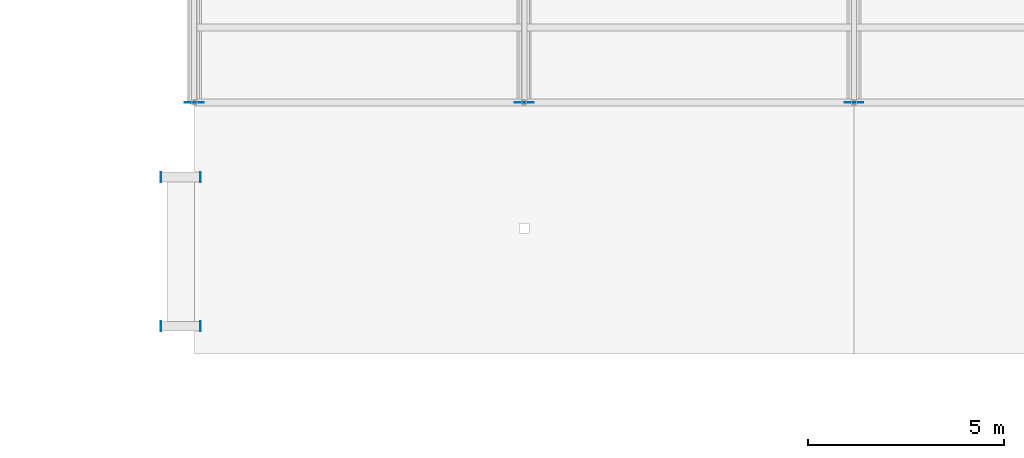
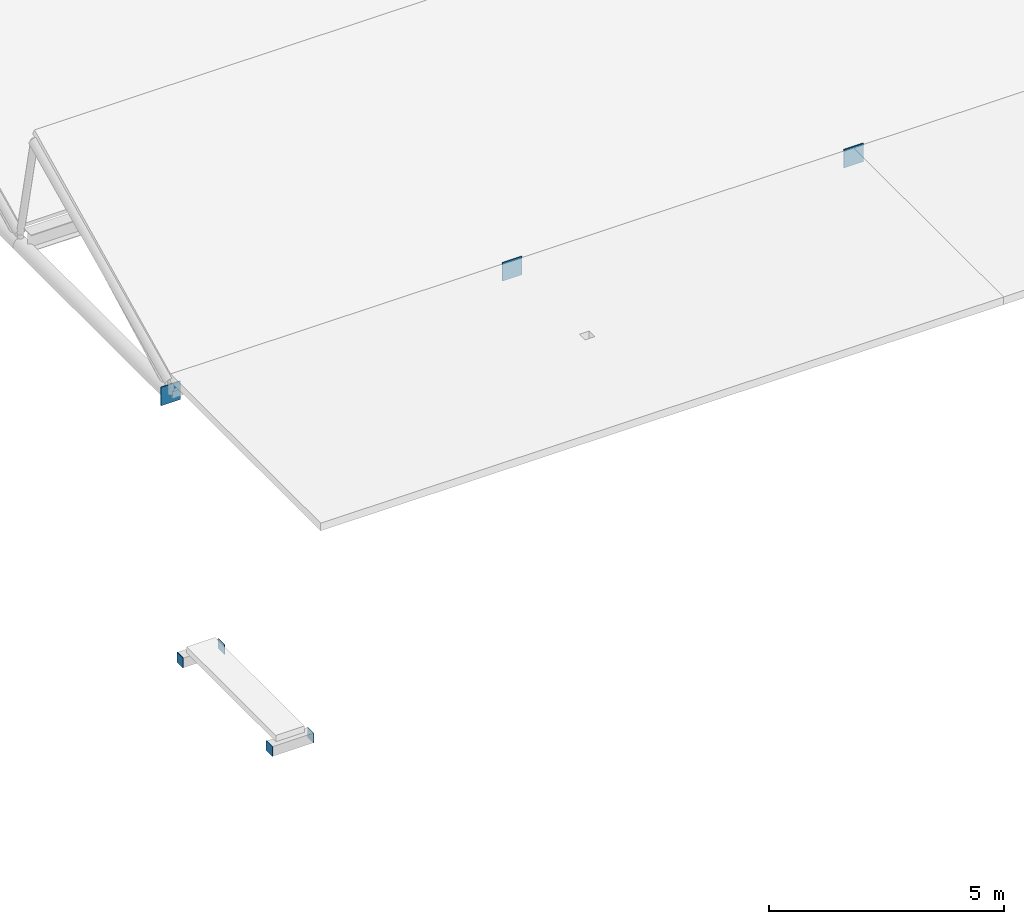
# One storey, part 156 of 194: 7 plates.
"""IFC4 building model written with IfcOpenShell, lengths in metres."""

from ifc_helpers import new_model, si_unit, direction, frame, origin, origin_2d, place, context, subcontext, project, spatial, rectangle, extrude, material, layer, layer_set, type_object, element, save


model = new_model("IFC4")

# Units and contexts
model_context = context("Model", 3, precision=1e-05, world=origin(), true_north=direction((0.0, 1.0)))
body_context = subcontext(model_context, "Body", "Model", "MODEL_VIEW")
ifc_project = project(units=[si_unit("LENGTHUNIT", "METRE"), si_unit("AREAUNIT", "SQUARE_METRE"), si_unit("VOLUMEUNIT", "CUBIC_METRE"), si_unit("PLANEANGLEUNIT", "RADIAN"), si_unit("MASSUNIT", "GRAM", prefix="KILO")], contexts=[model_context])

# Site, building, storey
site_placement = place(None, origin())
site = spatial("IfcSite", under=ifc_project, at=site_placement, CompositionType="ELEMENT")
building_placement = place(site_placement, origin())
building = spatial("IfcBuilding", under=site, at=building_placement, Name="Kazenagashi Tramway Depot", CompositionType="ELEMENT")
storey_placement = place(building_placement, frame((0.0, 0.0, 23.7)))
storey = spatial("IfcBuildingStorey", under=building, at=storey_placement, Name="ROOF", CompositionType="ELEMENT", Elevation=23.7)

# Plates
ifc_material_1 = material(Name="Weathering Steel SMA490W", Category="steel")
ifc_layer_1 = layer(ifc_material_1, 0.012)
ifc_layer_set_1 = layer_set([ifc_layer_1], Name="Weathering Steel SMA490W")
plate_type_1 = type_object("IfcPlateType", Name="EC-04", PredefinedType="USERDEFINED", material=ifc_layer_set_1)
for number, where, z_axis, x_axis, name in (
    (1, (43.944, 17.2, -14.52), (0.0, 0.0, 1.0), (0.0, 1.0, 0.0), "Structural Node Plate EC-04 PLT-0091"),
    (2, (44.956, 17.2, -14.52), (0.0, 0.0, 1.0), (0.0, 1.0, 0.0), "Structural Node Plate EC-04 PLT-0092"),
    (3, (43.944, 21.0, -14.52), (0.0, 0.0, 1.0), (0.0, 1.0, 0.0), "Structural Node Plate EC-04 PLT-0093"),
    (4, (44.956, 21.0, -14.52), (0.0, 0.0, 1.0), (0.0, 1.0, 0.0), "Structural Node Plate EC-04 PLT-0094"),
):
    element("IfcPlate", number, at=place(storey_placement, frame(where, z_axis=z_axis, x_axis=x_axis)), inside=storey, type_object=plate_type_1, Name=name, ObjectType="END CAP PLATE", PredefinedType="USERDEFINED", context=body_context, shape_type="SweptSolid", body=[
        extrude(rectangle(XDim=0.26, YDim=0.012, at=origin_2d()), origin(), (0.0, 0.0, 1.0), 0.26),
    ])
ifc_material_2 = material(Name="Steel SN490B", Category="steel")
ifc_layer_2 = layer(ifc_material_2, 0.019)
ifc_layer_set_2 = layer_set([ifc_layer_2], Name="Steel SN490B")
plate_type_2 = type_object("IfcPlateType", Name="GP-02", PredefinedType="USERDEFINED", material=ifc_layer_set_2)
for number, where, z_axis, x_axis, name in (
    (5, (44.8, 22.9, -9.14), (0.0, 0.0, 1.0), (1.0, 0.0, 0.0), "Structural Node Plate GP-02 PLT-0112"),
    (6, (53.2, 22.9, -8.84), (0.0, 0.0, 1.0), (1.0, 0.0, 0.0), "Structural Node Plate GP-02 PLT-0113"),
    (7, (61.6, 22.9, -8.84), (0.0, 0.0, 1.0), (1.0, 0.0, 0.0), "Structural Node Plate GP-02 PLT-0116"),
):
    element("IfcPlate", number, at=place(storey_placement, frame(where, z_axis=z_axis, x_axis=x_axis)), inside=storey, type_object=plate_type_2, Name=name, ObjectType="GUSSET PLATE", PredefinedType="USERDEFINED", context=body_context, shape_type="SweptSolid", body=[
        extrude(rectangle(XDim=0.48, YDim=0.019, at=origin_2d()), origin(), (0.0, 0.0, 1.0), 0.48),
    ])

save(model, "model.ifc")
